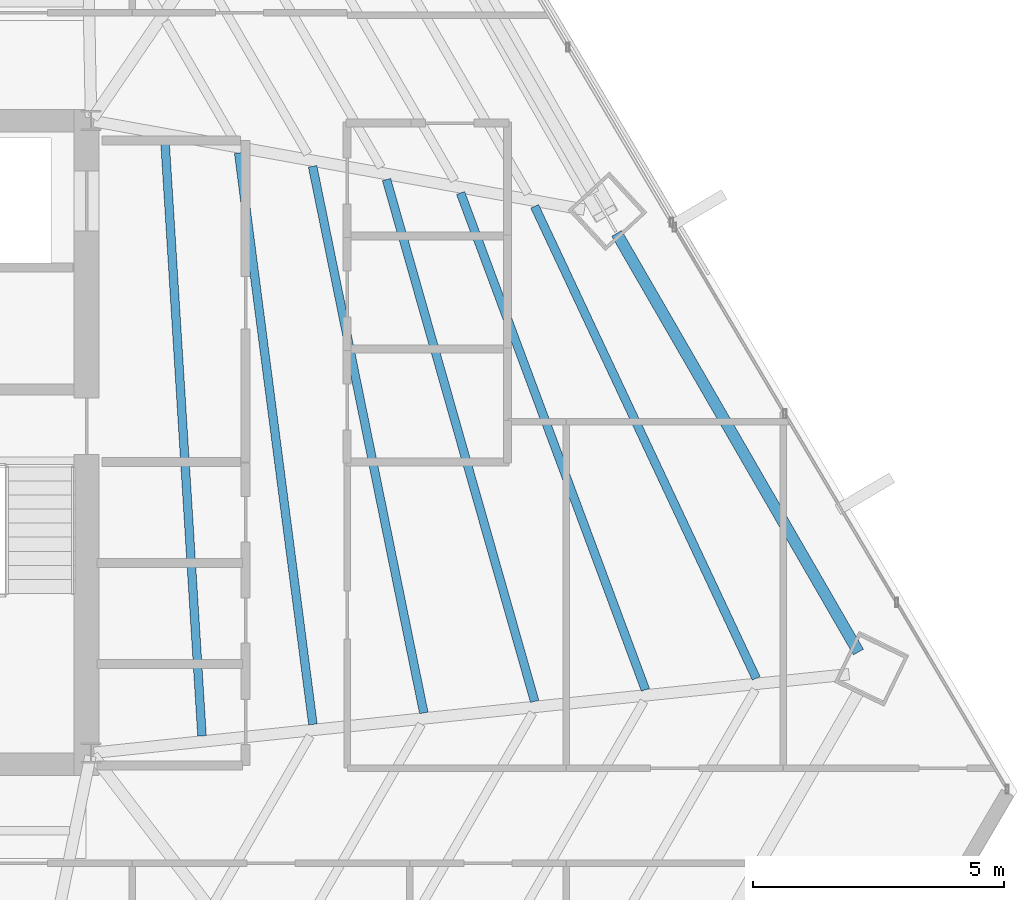
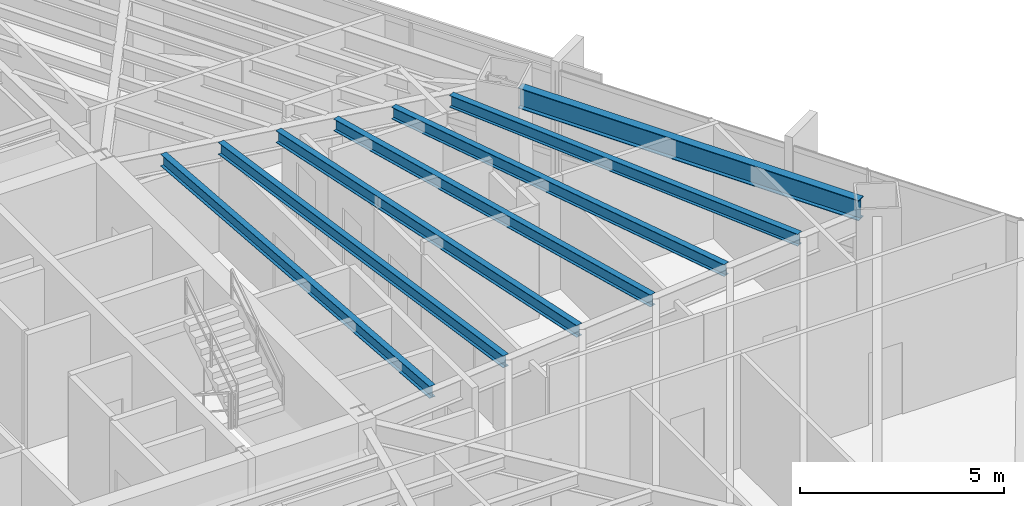
# One storey, part 20 of 36: 7 beams.
"""IFC4 building model written with IfcOpenShell, lengths in metres."""

from ifc_helpers import new_model, si_unit, direction, frame, origin, origin_2d, place, context, subcontext, project, spatial, i_section, extrude, source, transform, mapped, material, material_profile, profile_set, type_object, type_shapes, element, save


model = new_model("IFC4")

# Units and contexts
model_context = context("Model", 3, precision=1e-05, world=origin(), true_north=direction((0.0, 1.0)))
body_context = subcontext(model_context, "Body", "Model", "MODEL_VIEW")
ifc_project = project(units=[si_unit("LENGTHUNIT", "METRE"), si_unit("AREAUNIT", "SQUARE_METRE"), si_unit("VOLUMEUNIT", "CUBIC_METRE"), si_unit("PLANEANGLEUNIT", "RADIAN"), si_unit("MASSUNIT", "GRAM", prefix="KILO")], contexts=[model_context])

# Site, building, storey
site_placement = place(None, origin())
site = spatial("IfcSite", under=ifc_project, at=site_placement, CompositionType="ELEMENT")
building_placement = place(site_placement, origin())
building = spatial("IfcBuilding", under=site, at=building_placement, Name="Caelisora Broadcast Tower", CompositionType="ELEMENT")
storey_placement = place(building_placement, frame((0.0, 0.0, 112.699951171875)))
storey = spatial("IfcBuildingStorey", under=building, at=storey_placement, Name="L29", CompositionType="ELEMENT", Elevation=112.699951171875)

# Beams
ifc_material = material(Name="Steel Grade 350 (AS/NZS 3679.1)", Category="steel")
ifc_material_profile_1 = material_profile(ifc_material, i_section(OverallWidth=0.22900390625, OverallDepth=0.611572265625, WebThickness=0.011962890625, FlangeThickness=0.01953125, at=origin_2d()), Name="Steel Grade 350 (AS/NZS 3679.1)")
ifc_profile_set_1 = profile_set([ifc_material_profile_1], Name="Steel Grade 350 (AS/NZS 3679.1)")
beam_type_1 = type_object("IfcBeamType", Name="PG03", PredefinedType="BEAM", material=ifc_profile_set_1)
shared_shape_1 = source(origin(), body_context, "Body", "SweptSolid", [
    extrude(i_section(OverallWidth=0.22900390625, OverallDepth=0.611572265625, WebThickness=0.011962890625, FlangeThickness=0.01953125, at=origin_2d()), origin(), (0.0, 0.0, 1.0), 9.6318359375),
])
type_shapes(beam_type_1, [shared_shape_1])
beam_1_placement = place(storey_placement, frame((60.7890625, 19.412353515625, 3.09423828125), z_axis=(-0.50000476601, 0.86602265211, 0.0), x_axis=(-0.86602265211, -0.50000476601, 0.0)))
element("IfcBeam", 1, at=beam_1_placement, inside=storey, type_object=beam_type_1, Name="L29 beam PG03", PredefinedType="BEAM", context=body_context, shape_type="MappedRepresentation", body=[
    mapped(shared_shape_1, transform((0.0, 0.0, 0.0), scale=1.0)),
])
ifc_material_profile_2 = material_profile(ifc_material, i_section(OverallWidth=0.172119140625, OverallDepth=0.358642578125, WebThickness=0.008056640625, FlangeThickness=0.012939453125, at=origin_2d()), Name="Steel Grade 350 (AS/NZS 3679.1)")
ifc_profile_set_2 = profile_set([ifc_material_profile_2], Name="Steel Grade 350 (AS/NZS 3679.1)")
beam_type_2 = type_object("IfcBeamType", Name="SB02", PredefinedType="JOIST", material=ifc_profile_set_2)
shared_shape_2 = source(origin(), body_context, "Body", "SweptSolid", [
    extrude(i_section(OverallWidth=0.172119140625, OverallDepth=0.358642578125, WebThickness=0.008056640625, FlangeThickness=0.012939453125, at=origin_2d()), origin(), (0.0, 0.0, 1.0), 11.9033203125),
])
beam_2_placement = place(storey_placement, frame((47.710205078125, 17.741455078125, 3.220703125), z_axis=(-0.062145888799, 0.998067076155, 0.0), x_axis=(-0.998067076155, -0.062145888799, 0.0)))
element("IfcBeam", 2, at=beam_2_placement, inside=storey, type_object=beam_type_2, Name="L29 beam SB02", PredefinedType="JOIST", context=body_context, shape_type="MappedRepresentation", body=[
    mapped(shared_shape_2, transform((0.0, 0.0, 0.0), scale=1.0)),
])
shared_shape_3 = source(origin(), body_context, "Body", "SweptSolid", [
    extrude(i_section(OverallWidth=0.172119140625, OverallDepth=0.358642578125, WebThickness=0.008056640625, FlangeThickness=0.012939453125, at=origin_2d()), origin(), (0.0, 0.0, 1.0), 11.480712890625),
])
beam_3_placement = place(storey_placement, frame((49.919677734375, 17.97119140625, 3.220703125), z_axis=(-0.12873915145, 0.991678491692, 0.0), x_axis=(-0.991678491692, -0.12873915145, 0.0)))
element("IfcBeam", 3, at=beam_3_placement, inside=storey, type_object=beam_type_2, Name="L29 beam SB02", PredefinedType="JOIST", context=body_context, shape_type="MappedRepresentation", body=[
    mapped(shared_shape_3, transform((0.0, 0.0, 0.0), scale=1.0)),
])
shared_shape_4 = source(origin(), body_context, "Body", "SweptSolid", [
    extrude(i_section(OverallWidth=0.172119140625, OverallDepth=0.358642578125, WebThickness=0.008056640625, FlangeThickness=0.012939453125, at=origin_2d()), origin(), (0.0, 0.0, 1.0), 11.11279296875),
])
beam_4_placement = place(storey_placement, frame((52.12890625, 18.200927734375, 3.220703125), z_axis=(-0.19932595725, 0.979933244036, 0.0), x_axis=(-0.979933244036, -0.19932595725, 0.0)))
element("IfcBeam", 4, at=beam_4_placement, inside=storey, type_object=beam_type_2, Name="L29 beam SB02", PredefinedType="JOIST", context=body_context, shape_type="MappedRepresentation", body=[
    mapped(shared_shape_4, transform((0.0, 0.0, 0.0), scale=1.0)),
])
shared_shape_5 = source(origin(), body_context, "Body", "SweptSolid", [
    extrude(i_section(OverallWidth=0.172119140625, OverallDepth=0.358642578125, WebThickness=0.008056640625, FlangeThickness=0.012939453125, at=origin_2d()), origin(), (0.0, 0.0, 1.0), 10.8046875),
])
beam_5_placement = place(storey_placement, frame((54.33740234375, 18.4306640625, 3.220703125), z_axis=(-0.273049465265, 0.961999994552, 0.0), x_axis=(-0.961999994552, -0.273049465265, 0.0)))
element("IfcBeam", 5, at=beam_5_placement, inside=storey, type_object=beam_type_2, Name="L29 beam SB02", PredefinedType="JOIST", context=body_context, shape_type="MappedRepresentation", body=[
    mapped(shared_shape_5, transform((0.0, 0.0, 0.0), scale=1.0)),
])
shared_shape_6 = source(origin(), body_context, "Body", "SweptSolid", [
    extrude(i_section(OverallWidth=0.172119140625, OverallDepth=0.358642578125, WebThickness=0.008056640625, FlangeThickness=0.012939453125, at=origin_2d()), origin(), (0.0, 0.0, 1.0), 10.561279296875),
])
beam_6_placement = place(storey_placement, frame((56.545166015625, 18.660400390625, 3.220703125), z_axis=(-0.348758739222, 0.93721253823, 0.0), x_axis=(-0.93721253823, -0.348758739222, 0.0)))
element("IfcBeam", 6, at=beam_6_placement, inside=storey, type_object=beam_type_2, Name="L29 beam SB02", PredefinedType="JOIST", context=body_context, shape_type="MappedRepresentation", body=[
    mapped(shared_shape_6, transform((0.0, 0.0, 0.0), scale=1.0)),
])
shared_shape_7 = source(origin(), body_context, "Body", "SweptSolid", [
    extrude(i_section(OverallWidth=0.172119140625, OverallDepth=0.358642578125, WebThickness=0.008056640625, FlangeThickness=0.012939453125, at=origin_2d()), origin(), (0.0, 0.0, 1.0), 10.386962890625),
])
type_shapes(beam_type_2, [shared_shape_2, shared_shape_3, shared_shape_4, shared_shape_5, shared_shape_6, shared_shape_7])
beam_7_placement = place(storey_placement, frame((58.752197265625, 18.889892578125, 3.220703125), z_axis=(-0.424982999372, 0.905201331332, 0.0), x_axis=(-0.905201331332, -0.424982999372, 0.0)))
element("IfcBeam", 7, at=beam_7_placement, inside=storey, type_object=beam_type_2, Name="L29 beam SB02", PredefinedType="JOIST", context=body_context, shape_type="MappedRepresentation", body=[
    mapped(shared_shape_7, transform((0.0, 0.0, 0.0), scale=1.0)),
])

save(model, "model.ifc")
